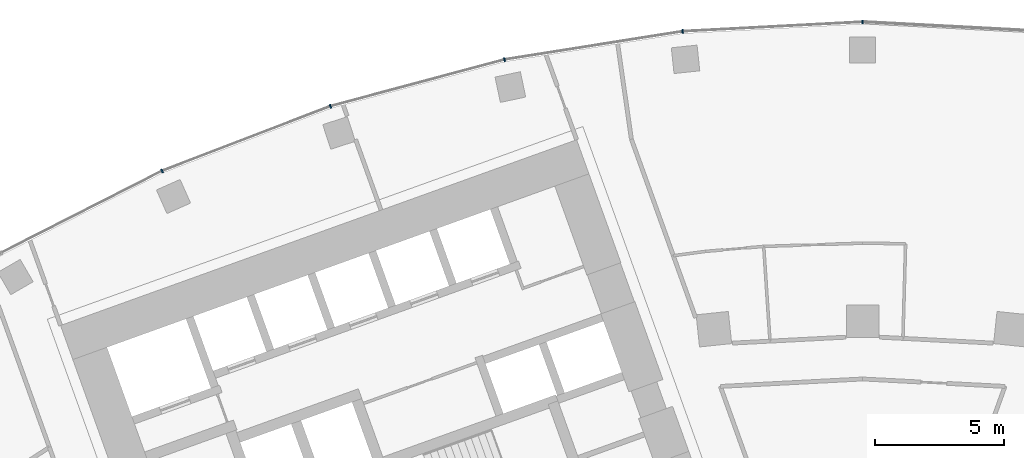
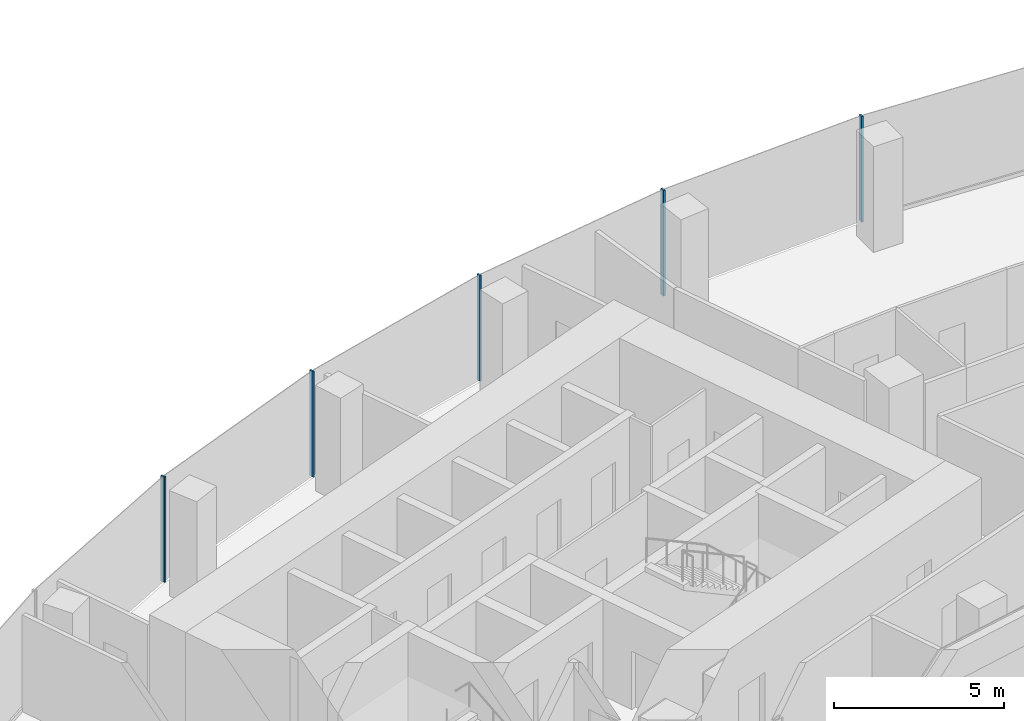
# One storey, part 6 of 20: 5 members, 1 element without a shape of its own.
"""IFC4 building model written with IfcOpenShell, lengths in metres."""

from ifc_helpers import new_model, si_unit, direction, frame, origin, origin_2d, place, context, subcontext, project, spatial, rectangle, extrude, material, layer, layer_set, material_profile, profile_set, type_object, element, aggregate, save


model = new_model("IFC4")

# Units and contexts
model_context = context("Model", 3, precision=1e-05, world=origin(), true_north=direction((0.0, 1.0)))
body_context = subcontext(model_context, "Body", "Model", "MODEL_VIEW")
ifc_project = project(units=[si_unit("LENGTHUNIT", "METRE"), si_unit("AREAUNIT", "SQUARE_METRE"), si_unit("VOLUMEUNIT", "CUBIC_METRE"), si_unit("PLANEANGLEUNIT", "RADIAN"), si_unit("MASSUNIT", "GRAM", prefix="KILO")], contexts=[model_context])

# Site, building, storey
site_placement = place(None, origin())
site = spatial("IfcSite", under=ifc_project, at=site_placement, CompositionType="ELEMENT")
building_placement = place(site_placement, origin())
building = spatial("IfcBuilding", under=site, at=building_placement, Name="Stone Belt Terrace Tower", CompositionType="ELEMENT")
storey_placement = place(building_placement, frame((0.0, 0.0, 170.60009765625)))
storey = spatial("IfcBuildingStorey", under=building, at=storey_placement, Name="L41", CompositionType="ELEMENT", Elevation=170.60009765625)

# Curtain wall, members
ifc_material = material(Name="Aluminium 6063-T6 anodised frame", Category="aluminium")
ifc_layer = layer(ifc_material, 0.14990234375)
ifc_layer_set = layer_set([ifc_layer], Name="CW-A unitised convex-face curtain wall")
curtain_wall_type = type_object("IfcCurtainWallType", Name="CW-A unitised convex-face curtain wall", PredefinedType="NOTDEFINED", material=ifc_layer_set)
curtain_wall_placement = place(storey_placement, origin())
curtain_wall = element("IfcCurtainWall", 1, at=curtain_wall_placement, inside=storey, type_object=curtain_wall_type, Name="CW-A convex face L41", PredefinedType="NOTDEFINED")
ifc_material_profile = material_profile(ifc_material, rectangle(XDim=0.14990234375, YDim=0.06005859375, at=origin_2d()), Name="Aluminium 6063-T6 60x150")
ifc_profile_set = profile_set([ifc_material_profile], Name="Aluminium 6063-T6 anodised frame")
member_type = type_object("IfcMemberType", Name="CW-A mullion 60 x 150", PredefinedType="MULLION", material=ifc_profile_set)
member_1_placement = place(storey_placement, frame((0.0, 66.5751953125, 0.0), z_axis=(0.0, 0.0, 1.0), x_axis=(0.0, -1.0, 0.0)))
member_1 = element("IfcMember", 2, at=member_1_placement, type_object=member_type, Name="CW-A mullion 8", PredefinedType="MULLION", context=body_context, shape_type="SweptSolid", body=[
    extrude(rectangle(XDim=0.14990234375, YDim=0.06005859375, at=origin_2d()), origin(), (0.0, 0.0, 1.0), 3.7998046875),
])
member_2_placement = place(storey_placement, frame((-6.958984375, 66.21044921875, 0.0), z_axis=(0.0, 0.0, 1.0), x_axis=(0.104528463268, -0.994521895368, 0.0)))
member_2 = element("IfcMember", 3, at=member_2_placement, type_object=member_type, Name="CW-A mullion 9", PredefinedType="MULLION", context=body_context, shape_type="SweptSolid", body=[
    extrude(rectangle(XDim=0.14990234375, YDim=0.06005859375, at=origin_2d()), origin(), (0.0, 0.0, 1.0), 3.7998046875),
])
member_3_placement = place(storey_placement, frame((-13.841796875, 65.120361328125, 0.0), z_axis=(0.0, 0.0, 1.0), x_axis=(0.207911690818, -0.978147600734, 0.0)))
member_3 = element("IfcMember", 4, at=member_3_placement, type_object=member_type, Name="CW-A mullion 10", PredefinedType="MULLION", context=body_context, shape_type="SweptSolid", body=[
    extrude(rectangle(XDim=0.14990234375, YDim=0.06005859375, at=origin_2d()), origin(), (0.0, 0.0, 1.0), 3.7998046875),
])
member_4_placement = place(storey_placement, frame((-20.57275390625, 63.316650390625, 0.0), z_axis=(0.0, 0.0, 1.0), x_axis=(0.309016994375, -0.951056516295, 0.0)))
member_4 = element("IfcMember", 5, at=member_4_placement, type_object=member_type, Name="CW-A mullion 11", PredefinedType="MULLION", context=body_context, shape_type="SweptSolid", body=[
    extrude(rectangle(XDim=0.14990234375, YDim=0.06005859375, at=origin_2d()), origin(), (0.0, 0.0, 1.0), 3.7998046875),
])
member_5_placement = place(storey_placement, frame((-27.07861328125, 60.8193359375, 0.0), z_axis=(0.0, 0.0, 1.0), x_axis=(0.406736643076, -0.913545457643, 0.0)))
member_5 = element("IfcMember", 6, at=member_5_placement, type_object=member_type, Name="CW-A mullion 12", PredefinedType="MULLION", context=body_context, shape_type="SweptSolid", body=[
    extrude(rectangle(XDim=0.14990234375, YDim=0.06005859375, at=origin_2d()), origin(), (0.0, 0.0, 1.0), 3.7998046875),
])
aggregate(curtain_wall, [member_1, member_2, member_3, member_4, member_5])

save(model, "model.ifc")
